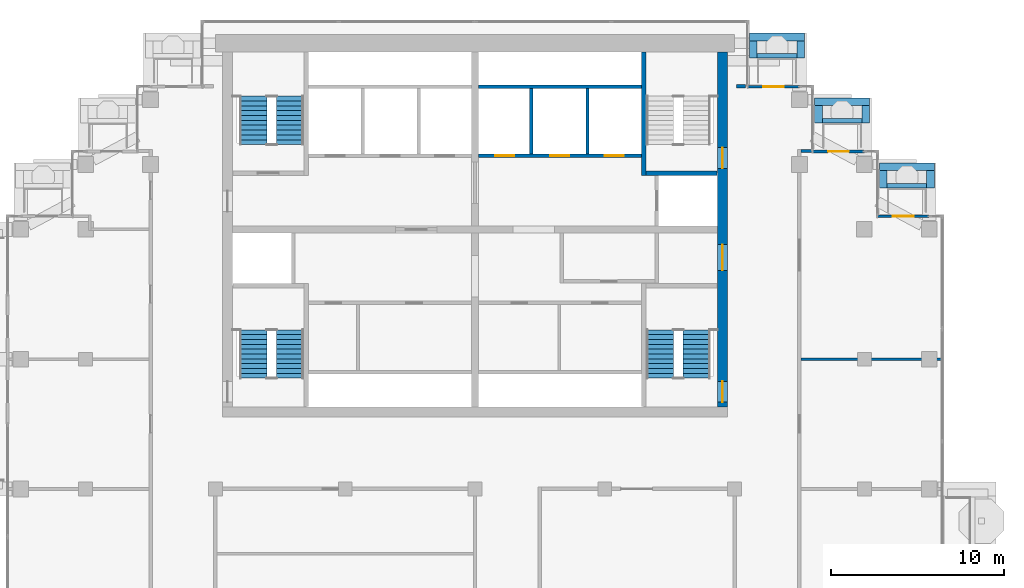
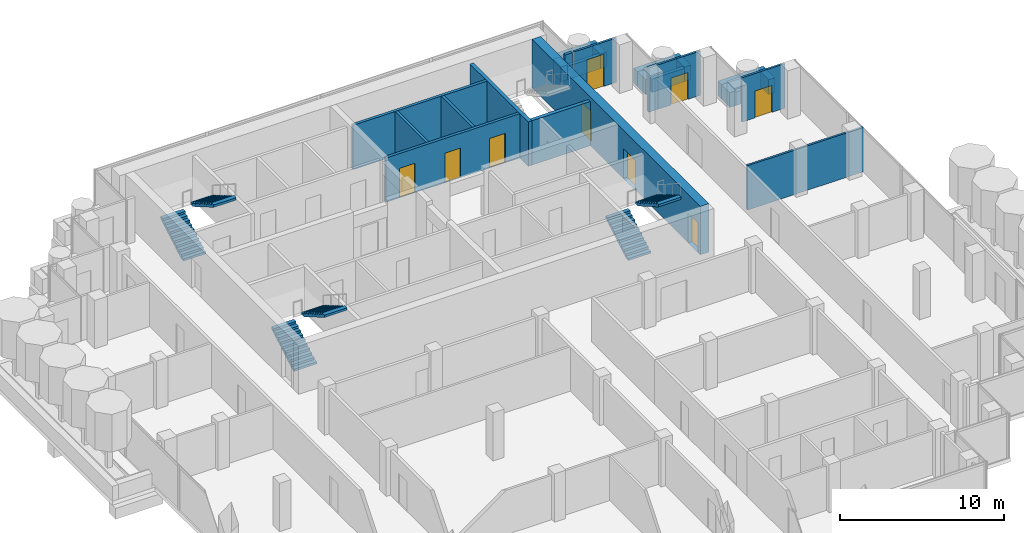
# One storey, part 14 of 18: 25 walls, 9 doors, 6 stair flights, 9 openings, 3 elements without a shape of their own.
"""IFC4 building model written with IfcOpenShell, lengths in metres."""

from ifc_helpers import new_model, si_unit, direction, frame, frame_2d, origin, place, context, subcontext, project, spatial, polyline, rectangle, outline, extrude, material, layer, layer_set, type_object, element, fill, aggregate, save


model = new_model("IFC4")

# Units and contexts
model_context = context("Model", 3, precision=1e-05, world=origin(), true_north=direction((0.0, 1.0)))
body_context = subcontext(model_context, "Body", "Model", "MODEL_VIEW")
ifc_project = project(units=[si_unit("LENGTHUNIT", "METRE"), si_unit("AREAUNIT", "SQUARE_METRE"), si_unit("VOLUMEUNIT", "CUBIC_METRE"), si_unit("PLANEANGLEUNIT", "RADIAN"), si_unit("MASSUNIT", "GRAM", prefix="KILO")], contexts=[model_context])

# Site, building, storey
site_placement = place(None, origin())
site = spatial("IfcSite", under=ifc_project, at=site_placement, CompositionType="ELEMENT")
building_placement = place(site_placement, origin())
building = spatial("IfcBuilding", under=site, at=building_placement, Name="Pilkhan Gate Tower", CompositionType="ELEMENT")
storey_placement = place(building_placement, frame((0.0, 0.0, 228.300048828125)))
storey = spatial("IfcBuildingStorey", under=building, at=storey_placement, Name="L59", CompositionType="ELEMENT", Elevation=228.300048828125)

# Walls
ifc_material_1 = material(Name="Concrete C40/50", Category="concrete")
ifc_layer_1 = layer(ifc_material_1, 0.25)
ifc_layer_set_1 = layer_set([ifc_layer_1], Name="Balcony planter BP250")
wall_type_1 = type_object("IfcWallType", Name="Balcony planter BP250", PredefinedType="USERDEFINED", material=ifc_layer_set_1)
wall_1_placement = place(storey_placement, frame((91.300048828125, 92.52490234375, 0.0), z_axis=(0.0, 0.0, 1.0), x_axis=(1.0, 0.0, 0.0)))
element("IfcWall", 1, at=wall_1_placement, inside=storey, type_object=wall_type_1, Name="Balcony planter L59 N", ObjectType="BALCONY PLANTER", PredefinedType="USERDEFINED", context=body_context, shape_type="SweptSolid", body=[
    extrude(rectangle(XDim=2.300048828125, YDim=0.25, at=frame_2d((1.14990234375, 0.0))), origin(), (0.0, 0.0, 1.0), 1.0),
])
for number, where, z_axis, x_axis, name in (
    (2, (95.070068359375, 88.77490234375, 0.0), (0.0, 0.0, 1.0), (1.0, 0.0, 0.0), "Balcony planter L59 N"),
    (3, (98.820068359375, 85.02490234375, 0.0), (0.0, 0.0, 1.0), (1.0, 0.0, 0.0), "Balcony planter L59 N"),
):
    element("IfcWall", number, at=place(storey_placement, frame(where, z_axis=z_axis, x_axis=x_axis)), inside=storey, type_object=wall_type_1, Name=name, ObjectType="BALCONY PLANTER", PredefinedType="USERDEFINED", context=body_context, shape_type="SweptSolid", body=[
        extrude(rectangle(XDim=2.280029296875, YDim=0.25, at=frame_2d((1.14013671875, 0.0))), origin(), (0.0, 0.0, 1.0), 1.0),
    ])
ifc_material_2 = material(Name="Board-marked Concrete C40/50", Category="concrete")
ifc_layer_2 = layer(ifc_material_2, 0.449951171875)
ifc_layer_set_2 = layer_set([ifc_layer_2], Name="Balcony planter lip BL450")
wall_type_2 = type_object("IfcWallType", Name="Balcony planter lip BL450", PredefinedType="USERDEFINED", material=ifc_layer_set_2)
wall_2_placement = place(storey_placement, frame((90.85009765625, 93.625, 0.0), z_axis=(0.0, 0.0, 1.0), x_axis=(1.0, 0.0, 0.0)))
element("IfcWall", 4, at=wall_2_placement, inside=storey, type_object=wall_type_2, Name="Balcony planter L59 N", ObjectType="BALCONY PLANTER", PredefinedType="USERDEFINED", context=body_context, shape_type="SweptSolid", body=[
    extrude(rectangle(XDim=3.199951171875, YDim=0.449951171875, at=frame_2d((1.60009765625, 0.0))), origin(), (0.0, 0.0, 1.0), 1.099853515625),
])
for number, where, z_axis, x_axis, name in (
    (5, (91.074951171875, 92.39990234375, 0.0), (0.0, 0.0, 1.0), (0.0, 1.0, 0.0), "Balcony planter L59 N"),
    (6, (93.824951171875, 92.39990234375, 0.0), (0.0, 0.0, 1.0), (0.0, 1.0, 0.0), "Balcony planter L59 N"),
):
    element("IfcWall", number, at=place(storey_placement, frame(where, z_axis=z_axis, x_axis=x_axis)), inside=storey, type_object=wall_type_2, Name=name, ObjectType="BALCONY PLANTER", PredefinedType="USERDEFINED", context=body_context, shape_type="SweptSolid", body=[
        extrude(rectangle(XDim=1.0, YDim=0.449951171875, at=frame_2d((0.5, 0.0))), origin(), (0.0, 0.0, 1.0), 1.099853515625),
    ])
wall_3_placement = place(storey_placement, frame((94.6201171875, 89.875, 0.0), z_axis=(0.0, 0.0, 1.0), x_axis=(1.0, 0.0, 0.0)))
element("IfcWall", 7, at=wall_3_placement, inside=storey, type_object=wall_type_2, Name="Balcony planter L59 N", ObjectType="BALCONY PLANTER", PredefinedType="USERDEFINED", context=body_context, shape_type="SweptSolid", body=[
    extrude(rectangle(XDim=3.179931640625, YDim=0.449951171875, at=frame_2d((1.58984375, 0.0))), origin(), (0.0, 0.0, 1.0), 1.099853515625),
])
for number, where, z_axis, x_axis, name in (
    (8, (94.844970703125, 88.64990234375, 0.0), (0.0, 0.0, 1.0), (0.0, 1.0, 0.0), "Balcony planter L59 N"),
    (9, (97.574951171875, 88.64990234375, 0.0), (0.0, 0.0, 1.0), (0.0, 1.0, 0.0), "Balcony planter L59 N"),
):
    element("IfcWall", number, at=place(storey_placement, frame(where, z_axis=z_axis, x_axis=x_axis)), inside=storey, type_object=wall_type_2, Name=name, ObjectType="BALCONY PLANTER", PredefinedType="USERDEFINED", context=body_context, shape_type="SweptSolid", body=[
        extrude(rectangle(XDim=1.0, YDim=0.449951171875, at=frame_2d((0.5, 0.0))), origin(), (0.0, 0.0, 1.0), 1.099853515625),
    ])
wall_4_placement = place(storey_placement, frame((98.3701171875, 86.125, 0.0), z_axis=(0.0, 0.0, 1.0), x_axis=(1.0, 0.0, 0.0)))
element("IfcWall", 10, at=wall_4_placement, inside=storey, type_object=wall_type_2, Name="Balcony planter L59 N", ObjectType="BALCONY PLANTER", PredefinedType="USERDEFINED", context=body_context, shape_type="SweptSolid", body=[
    extrude(rectangle(XDim=3.179931640625, YDim=0.449951171875, at=frame_2d((1.58984375, 0.0))), origin(), (0.0, 0.0, 1.0), 1.099853515625),
])
for number, where, z_axis, x_axis, name in (
    (11, (98.594970703125, 84.89990234375, 0.0), (0.0, 0.0, 1.0), (0.0, 1.0, 0.0), "Balcony planter L59 N"),
    (12, (101.324951171875, 84.89990234375, 0.0), (0.0, 0.0, 1.0), (0.0, 1.0, 0.0), "Balcony planter L59 N"),
):
    element("IfcWall", number, at=place(storey_placement, frame(where, z_axis=z_axis, x_axis=x_axis)), inside=storey, type_object=wall_type_2, Name=name, ObjectType="BALCONY PLANTER", PredefinedType="USERDEFINED", context=body_context, shape_type="SweptSolid", body=[
        extrude(rectangle(XDim=1.0, YDim=0.449951171875, at=frame_2d((0.5, 0.0))), origin(), (0.0, 0.0, 1.0), 1.099853515625),
    ])

# Wall, openings, doors
ifc_material_3 = material(Name="Concrete C50/60", Category="concrete")
ifc_layer_3 = layer(ifc_material_3, 0.60009765625)
ifc_layer_set_3 = layer_set([ifc_layer_3], Name="Core wall CW600 C50/60")
wall_type_3 = type_object("IfcWallType", Name="Core wall CW600 C50/60", PredefinedType="SHEAR", material=ifc_layer_set_3)
wall_5_placement = place(storey_placement, frame((89.300048828125, 72.25, 0.0), z_axis=(0.0, 0.0, 1.0), x_axis=(0.0, 1.0, 0.0)))
wall_5 = element("IfcWall", 13, at=wall_5_placement, inside=storey, type_object=wall_type_3, Name="Core wall E L59", PredefinedType="SHEAR", context=body_context, shape_type="SweptSolid", body=[
    extrude(rectangle(XDim=20.5, YDim=0.60009765625, at=frame_2d((10.25, 0.0))), origin(), (0.0, 0.0, 1.0), 3.599853515625),
])
opening_1_placement = place(wall_5_placement, frame((0.27490234375, 0.0, 0.0)))
opening_1 = element("IfcOpeningElement", 14, at=opening_1_placement, cuts=wall_5, Name="Opening L59-03", PredefinedType="OPENING", context=body_context, shape_type="SweptSolid", body=[
    extrude(rectangle(XDim=1.199951171875, YDim=2.199951171875, at=frame_2d((0.60009765625, 1.10009765625))), frame((0.0, 0.31005859375, 0.0), z_axis=(0.0, -1.0, 0.0), x_axis=(1.0, 0.0, 0.0)), (0.0, 0.0, 1.0), 0.6201171875),
])
opening_2_placement = place(wall_5_placement, frame((13.77490234375, 0.0, 0.0)))
opening_2 = element("IfcOpeningElement", 15, at=opening_2_placement, cuts=wall_5, Name="Opening L59-05", PredefinedType="OPENING", context=body_context, shape_type="SweptSolid", body=[
    extrude(rectangle(XDim=1.199951171875, YDim=2.199951171875, at=frame_2d((0.60009765625, 1.10009765625))), frame((0.0, 0.31005859375, 0.0), z_axis=(0.0, -1.0, 0.0), x_axis=(1.0, 0.0, 0.0)), (0.0, 0.0, 1.0), 0.6201171875),
])
opening_3_placement = place(wall_5_placement, frame((7.875, 0.0, 0.0)))
opening_3 = element("IfcOpeningElement", 16, at=opening_3_placement, cuts=wall_5, Name="Opening L59-06", PredefinedType="OPENING", context=body_context, shape_type="SweptSolid", body=[
    extrude(rectangle(XDim=1.5, YDim=2.199951171875, at=frame_2d((0.75, 1.10009765625))), frame((0.0, 0.31005859375, 0.0), z_axis=(0.0, -1.0, 0.0), x_axis=(1.0, 0.0, 0.0)), (0.0, 0.0, 1.0), 0.6201171875),
])
ifc_material_4 = material(Name="Steel framed glazed door, 60 minute fire resisting", Category="steel")
door_type_1 = type_object("IfcDoorType", Name="Lobby door D09 1500x2200", OperationType="DOUBLE_DOOR_SINGLE_SWING", PredefinedType="DOOR", material=ifc_material_4)
door_1_placement = place(opening_3_placement, origin())
door_1 = element("IfcDoor", 17, at=door_1_placement, inside=storey, type_object=door_type_1, Name="Core door", OperationType="DOUBLE_DOOR_SINGLE_SWING", OverallHeight=2.199951171875, OverallWidth=1.5, PredefinedType="DOOR", context=body_context, shape_type="SweptSolid", body=[
    extrude(rectangle(XDim=1.5, YDim=2.199951171875, at=frame_2d((0.75, 1.10009765625))), frame((0.0, 0.02490234375, 0.0), z_axis=(0.0, -1.0, 0.0), x_axis=(1.0, 0.0, 0.0)), (0.0, 0.0, 1.0), 0.050048828125),
])
fill(opening_3, door_1)
ifc_material_5 = material(Name="Steel door, 120 minute fire resisting, panic bar", Category="steel")
door_type_2 = type_object("IfcDoorType", Name="Stair door D11 1200x2200", OperationType="SINGLE_SWING_LEFT", PredefinedType="DOOR", material=ifc_material_5)
door_2_placement = place(opening_1_placement, origin())
door_2 = element("IfcDoor", 18, at=door_2_placement, inside=storey, type_object=door_type_2, Name="Stair ST1 door", OperationType="SINGLE_SWING_LEFT", OverallHeight=2.199951171875, OverallWidth=1.199951171875, PredefinedType="DOOR", context=body_context, shape_type="SweptSolid", body=[
    extrude(rectangle(XDim=1.199951171875, YDim=2.199951171875, at=frame_2d((0.60009765625, 1.10009765625))), frame((0.0, 0.02490234375, 0.0), z_axis=(0.0, -1.0, 0.0), x_axis=(1.0, 0.0, 0.0)), (0.0, 0.0, 1.0), 0.050048828125),
])
fill(opening_1, door_2)
door_3_placement = place(opening_2_placement, origin())
door_3 = element("IfcDoor", 19, at=door_3_placement, inside=storey, type_object=door_type_2, Name="Stair ST4 door", OperationType="SINGLE_SWING_LEFT", OverallHeight=2.199951171875, OverallWidth=1.199951171875, PredefinedType="DOOR", context=body_context, shape_type="SweptSolid", body=[
    extrude(rectangle(XDim=1.199951171875, YDim=2.199951171875, at=frame_2d((0.60009765625, 1.10009765625))), frame((0.0, 0.02490234375, 0.0), z_axis=(0.0, -1.0, 0.0), x_axis=(1.0, 0.0, 0.0)), (0.0, 0.0, 1.0), 0.050048828125),
])
fill(opening_2, door_3)

# Walls
ifc_material_6 = material(Name="Dense blockwork", Category="masonry")
ifc_layer_4 = layer(ifc_material_6, 0.199951171875)
ifc_layer_set_4 = layer_set([ifc_layer_4], Name="Corridor wall FW200")
wall_type_4 = type_object("IfcWallType", Name="Corridor wall FW200", PredefinedType="PARTITIONING", material=ifc_layer_set_4)
wall_6_placement = place(storey_placement, frame((93.85009765625, 87.030029296875, 0.0), z_axis=(0.0, 0.0, 1.0), x_axis=(1.0, 0.0, 0.0)))
element("IfcWall", 20, at=wall_6_placement, inside=storey, type_object=wall_type_4, Name="Partition L59", PredefinedType="PARTITIONING", context=body_context, shape_type="SweptSolid", body=[
    extrude(rectangle(XDim=0.639892578125, YDim=0.199951171875, at=frame_2d((0.31982421875, 0.0))), origin(), (0.0, 0.0, 1.0), 3.300048828125),
])
wall_7_placement = place(storey_placement, frame((90.1201171875, 90.764892578125, 0.0), z_axis=(0.0, 0.0, 1.0), x_axis=(1.0, 0.0, 0.0)))
element("IfcWall", 21, at=wall_7_placement, inside=storey, type_object=wall_type_4, Name="Partition L59", PredefinedType="PARTITIONING", context=body_context, shape_type="SweptSolid", body=[
    extrude(rectangle(XDim=0.52490234375, YDim=0.199951171875, at=frame_2d((0.262451171875, 0.0))), origin(), (0.0, 0.0, 1.0), 3.300048828125),
])

# Wall, opening, door
ifc_material_7 = material(Name="Pale anodised aluminium, clear laminated glazing", Category="aluminium")
ifc_layer_5 = layer(ifc_material_7, 0.14990234375)
ifc_layer_set_5 = layer_set([ifc_layer_5], Name="Facade infill wall IW150")
wall_type_5 = type_object("IfcWallType", Name="Facade infill wall IW150", PredefinedType="SOLIDWALL", material=ifc_layer_set_5)
wall_8_placement = place(storey_placement, frame((98.25, 83.25, 0.0), z_axis=(0.0, 0.0, 1.0), x_axis=(1.0, 0.0, 0.0)))
wall_8 = element("IfcWall", 22, at=wall_8_placement, inside=storey, type_object=wall_type_5, Name="Infill wall L59 N", PredefinedType="SOLIDWALL", context=body_context, shape_type="SweptSolid", body=[
    extrude(rectangle(XDim=3.0, YDim=0.14990234375, at=frame_2d((1.5, 0.0))), origin(), (0.0, 0.0, 1.0), 3.300048828125),
])
opening_4_placement = place(wall_8_placement, frame((0.89990234375, 0.0, 0.0)))
opening_4 = element("IfcOpeningElement", 23, at=opening_4_placement, cuts=wall_8, Name="Opening D1L", PredefinedType="OPENING", context=body_context, shape_type="SweptSolid", body=[
    extrude(rectangle(XDim=1.199951171875, YDim=2.0, at=frame_2d((0.60009765625, 1.0))), frame((0.0, 0.0849609375, 0.0), z_axis=(0.0, -1.0, 0.0), x_axis=(1.0, 0.0, 0.0)), (0.0, 0.0, 1.0), 0.169921875),
])
ifc_material_8 = material(Name="Pale anodised aluminium, clear glazing", Category="aluminium")
door_type_3 = type_object("IfcDoorType", Name="Balcony door D1L 1200x2000", OperationType="SINGLE_SWING_LEFT", PredefinedType="DOOR", material=ifc_material_8)
door_4_placement = place(opening_4_placement, origin())
door_4 = element("IfcDoor", 24, at=door_4_placement, inside=storey, type_object=door_type_3, Name="Balcony door L59", OperationType="SINGLE_SWING_LEFT", OverallHeight=2.0, OverallWidth=1.199951171875, PredefinedType="DOOR", context=body_context, shape_type="SweptSolid", body=[
    extrude(rectangle(XDim=1.199951171875, YDim=2.0, at=frame_2d((0.60009765625, 1.0))), frame((0.0, 0.02490234375, 0.0), z_axis=(0.0, -1.0, 0.0), x_axis=(1.0, 0.0, 0.0)), (0.0, 0.0, 1.0), 0.050048828125),
])
fill(opening_4, door_4)

wall_9_placement = place(storey_placement, frame((94.5, 87.0, 0.0), z_axis=(0.0, 0.0, 1.0), x_axis=(1.0, 0.0, 0.0)))
wall_9 = element("IfcWall", 25, at=wall_9_placement, inside=storey, type_object=wall_type_5, Name="Infill wall L59 N", PredefinedType="SOLIDWALL", context=body_context, shape_type="SweptSolid", body=[
    extrude(rectangle(XDim=3.0, YDim=0.14990234375, at=frame_2d((1.5, 0.0))), origin(), (0.0, 0.0, 1.0), 3.300048828125),
])
opening_5_placement = place(wall_9_placement, frame((0.89990234375, 0.0, 0.0)))
opening_5 = element("IfcOpeningElement", 26, at=opening_5_placement, cuts=wall_9, Name="Opening D1L", PredefinedType="OPENING", context=body_context, shape_type="SweptSolid", body=[
    extrude(rectangle(XDim=1.199951171875, YDim=2.0, at=frame_2d((0.60009765625, 1.0))), frame((0.0, 0.0849609375, 0.0), z_axis=(0.0, -1.0, 0.0), x_axis=(1.0, 0.0, 0.0)), (0.0, 0.0, 1.0), 0.169921875),
])
door_5_placement = place(opening_5_placement, origin())
door_5 = element("IfcDoor", 27, at=door_5_placement, inside=storey, type_object=door_type_3, Name="Balcony door L59", OperationType="SINGLE_SWING_LEFT", OverallHeight=2.0, OverallWidth=1.199951171875, PredefinedType="DOOR", context=body_context, shape_type="SweptSolid", body=[
    extrude(rectangle(XDim=1.199951171875, YDim=2.0, at=frame_2d((0.60009765625, 1.0))), frame((0.0, 0.02490234375, 0.0), z_axis=(0.0, -1.0, 0.0), x_axis=(1.0, 0.0, 0.0)), (0.0, 0.0, 1.0), 0.050048828125),
])
fill(opening_5, door_5)

wall_10_placement = place(storey_placement, frame((90.75, 90.75, 0.0), z_axis=(0.0, 0.0, 1.0), x_axis=(1.0, 0.0, 0.0)))
wall_10 = element("IfcWall", 28, at=wall_10_placement, inside=storey, type_object=wall_type_5, Name="Infill wall L59 N", PredefinedType="SOLIDWALL", context=body_context, shape_type="SweptSolid", body=[
    extrude(rectangle(XDim=3.0, YDim=0.14990234375, at=frame_2d((1.5, 0.0))), origin(), (0.0, 0.0, 1.0), 3.300048828125),
])
opening_6_placement = place(wall_10_placement, frame((0.89990234375, 0.0, 0.0)))
opening_6 = element("IfcOpeningElement", 29, at=opening_6_placement, cuts=wall_10, Name="Opening D1", PredefinedType="OPENING", context=body_context, shape_type="SweptSolid", body=[
    extrude(rectangle(XDim=1.199951171875, YDim=2.39990234375, at=frame_2d((0.60009765625, 1.199951171875))), frame((0.0, 0.0849609375, 0.0), z_axis=(0.0, -1.0, 0.0), x_axis=(1.0, 0.0, 0.0)), (0.0, 0.0, 1.0), 0.169921875),
])
door_type_4 = type_object("IfcDoorType", Name="Balcony door D1 1200x2400", OperationType="SINGLE_SWING_LEFT", PredefinedType="DOOR", material=ifc_material_8)
door_6_placement = place(opening_6_placement, origin())
door_6 = element("IfcDoor", 30, at=door_6_placement, inside=storey, type_object=door_type_4, Name="Balcony door L59", OperationType="SINGLE_SWING_LEFT", OverallHeight=2.39990234375, OverallWidth=1.199951171875, PredefinedType="DOOR", context=body_context, shape_type="SweptSolid", body=[
    extrude(rectangle(XDim=1.199951171875, YDim=2.39990234375, at=frame_2d((0.60009765625, 1.199951171875))), frame((0.0, 0.02490234375, 0.0), z_axis=(0.0, -1.0, 0.0), x_axis=(1.0, 0.0, 0.0)), (0.0, 0.0, 1.0), 0.050048828125),
])
fill(opening_6, door_6)

# Wall
ifc_material_9 = material(Name="Blockwork partition, plastered both sides", Category="masonry")
ifc_layer_6 = layer(ifc_material_9, 0.14990234375)
ifc_layer_set_6 = layer_set([ifc_layer_6], Name="Partition PW150")
wall_type_6 = type_object("IfcWallType", Name="Partition PW150", PredefinedType="PARTITIONING", material=ifc_layer_set_6)
wall_11_placement = place(storey_placement, frame((93.85009765625, 75.0, 0.0), z_axis=(0.0, 0.0, 1.0), x_axis=(1.0, 0.0, 0.0)))
element("IfcWall", 31, at=wall_11_placement, inside=storey, type_object=wall_type_6, Name="Partition L59", PredefinedType="PARTITIONING", context=body_context, shape_type="SweptSolid", body=[
    extrude(rectangle(XDim=8.164794921875, YDim=0.14990234375, at=frame_2d((4.08251953125, 0.0))), origin(), (0.0, 0.0, 1.0), 3.300048828125),
])

# Wall, openings, doors
ifc_material_10 = material(Name="Reinforced blockwork shaft wall, 120 minute fire resisting", Category="masonry")
ifc_layer_7 = layer(ifc_material_10, 0.199951171875)
ifc_layer_set_7 = layer_set([ifc_layer_7], Name="Shaft wall SW200")
wall_type_7 = type_object("IfcWallType", Name="Shaft wall SW200", PredefinedType="PARTITIONING", material=ifc_layer_set_7)
wall_12_placement = place(storey_placement, frame((75.2099609375, 86.75, 0.0), z_axis=(0.0, 0.0, 1.0), x_axis=(1.0, 0.0, 0.0)))
wall_12 = element("IfcWall", 32, at=wall_12_placement, inside=storey, type_object=wall_type_7, Name="Partition L59", PredefinedType="PARTITIONING", context=body_context, shape_type="SweptSolid", body=[
    extrude(rectangle(XDim=9.4150390625, YDim=0.199951171875, at=frame_2d((4.70751953125, 0.0))), origin(), (0.0, 0.0, 1.0), 3.300048828125),
])
opening_7_placement = place(wall_12_placement, frame((0.949951171875, 0.0, 0.0)))
opening_7 = element("IfcOpeningElement", 33, at=opening_7_placement, cuts=wall_12, Name="Opening LD", PredefinedType="OPENING", context=body_context, shape_type="SweptSolid", body=[
    extrude(rectangle(XDim=1.10009765625, YDim=2.199951171875, at=frame_2d((0.550048828125, 1.10009765625))), frame((0.0, 0.10986328125, 0.0), z_axis=(0.0, -1.0, 0.0), x_axis=(1.0, 0.0, 0.0)), (0.0, 0.0, 1.0), 0.219970703125),
])
opening_8_placement = place(wall_12_placement, frame((4.139892578125, 0.0, 0.0)))
opening_8 = element("IfcOpeningElement", 34, at=opening_8_placement, cuts=wall_12, Name="Opening LD", PredefinedType="OPENING", context=body_context, shape_type="SweptSolid", body=[
    extrude(rectangle(XDim=1.10009765625, YDim=2.199951171875, at=frame_2d((0.550048828125, 1.10009765625))), frame((0.0, 0.10986328125, 0.0), z_axis=(0.0, -1.0, 0.0), x_axis=(1.0, 0.0, 0.0)), (0.0, 0.0, 1.0), 0.219970703125),
])
opening_9_placement = place(wall_12_placement, frame((7.2900390625, 0.0, 0.0)))
opening_9 = element("IfcOpeningElement", 35, at=opening_9_placement, cuts=wall_12, Name="Opening LD", PredefinedType="OPENING", context=body_context, shape_type="SweptSolid", body=[
    extrude(rectangle(XDim=1.10009765625, YDim=2.199951171875, at=frame_2d((0.550048828125, 1.10009765625))), frame((0.0, 0.10986328125, 0.0), z_axis=(0.0, -1.0, 0.0), x_axis=(1.0, 0.0, 0.0)), (0.0, 0.0, 1.0), 0.219970703125),
])
ifc_material_11 = material(Name="Stainless steel centre-opening landing door, 120 minute fire resisting", Category="steel")
door_type_5 = type_object("IfcDoorType", Name="Lift landing door LD 1100x2200", OperationType="DOUBLE_DOOR_SLIDING", PredefinedType="DOOR", material=ifc_material_11)
door_7_placement = place(opening_7_placement, origin())
door_7 = element("IfcDoor", 36, at=door_7_placement, inside=storey, type_object=door_type_5, Name="Landing door HR1", OperationType="DOUBLE_DOOR_SLIDING", OverallHeight=2.199951171875, OverallWidth=1.10009765625, PredefinedType="DOOR", context=body_context, shape_type="SweptSolid", body=[
    extrude(rectangle(XDim=1.10009765625, YDim=2.199951171875, at=frame_2d((0.550048828125, 1.10009765625))), frame((0.0, 0.02490234375, 0.0), z_axis=(0.0, -1.0, 0.0), x_axis=(1.0, 0.0, 0.0)), (0.0, 0.0, 1.0), 0.050048828125),
])
fill(opening_7, door_7)
door_8_placement = place(opening_8_placement, origin())
door_8 = element("IfcDoor", 37, at=door_8_placement, inside=storey, type_object=door_type_5, Name="Landing door HR2", OperationType="DOUBLE_DOOR_SLIDING", OverallHeight=2.199951171875, OverallWidth=1.10009765625, PredefinedType="DOOR", context=body_context, shape_type="SweptSolid", body=[
    extrude(rectangle(XDim=1.10009765625, YDim=2.199951171875, at=frame_2d((0.550048828125, 1.10009765625))), frame((0.0, 0.02490234375, 0.0), z_axis=(0.0, -1.0, 0.0), x_axis=(1.0, 0.0, 0.0)), (0.0, 0.0, 1.0), 0.050048828125),
])
fill(opening_8, door_8)
door_9_placement = place(opening_9_placement, origin())
door_9 = element("IfcDoor", 38, at=door_9_placement, inside=storey, type_object=door_type_5, Name="Landing door HR3", OperationType="DOUBLE_DOOR_SLIDING", OverallHeight=2.199951171875, OverallWidth=1.10009765625, PredefinedType="DOOR", context=body_context, shape_type="SweptSolid", body=[
    extrude(rectangle(XDim=1.10009765625, YDim=2.199951171875, at=frame_2d((0.550048828125, 1.10009765625))), frame((0.0, 0.02490234375, 0.0), z_axis=(0.0, -1.0, 0.0), x_axis=(1.0, 0.0, 0.0)), (0.0, 0.0, 1.0), 0.050048828125),
])
fill(opening_9, door_9)

# Walls
wall_13_placement = place(storey_placement, frame((75.2099609375, 90.75, 0.0), z_axis=(0.0, 0.0, 1.0), x_axis=(1.0, 0.0, 0.0)))
element("IfcWall", 39, at=wall_13_placement, inside=storey, type_object=wall_type_7, Name="Partition L59", PredefinedType="PARTITIONING", context=body_context, shape_type="SweptSolid", body=[
    extrude(rectangle(XDim=9.4150390625, YDim=0.199951171875, at=frame_2d((4.70751953125, 0.0))), origin(), (0.0, 0.0, 1.0), 3.300048828125),
])
for number, where, z_axis, x_axis, name in (
    (40, (78.25, 86.85009765625, 0.0), (0.0, 0.0, 1.0), (0.0, 1.0, 0.0), "Partition L59"),
    (41, (81.5, 86.85009765625, 0.0), (0.0, 0.0, 1.0), (0.0, 1.0, 0.0), "Partition L59"),
):
    element("IfcWall", number, at=place(storey_placement, frame(where, z_axis=z_axis, x_axis=x_axis)), inside=storey, type_object=wall_type_7, Name=name, PredefinedType="PARTITIONING", context=body_context, shape_type="SweptSolid", body=[
        extrude(rectangle(XDim=3.7998046875, YDim=0.199951171875, at=frame_2d((1.89990234375, 0.0))), origin(), (0.0, 0.0, 1.0), 3.300048828125),
    ])
ifc_material_12 = material(Name="Reinforced blockwork, 120 minute fire resisting", Category="masonry")
ifc_layer_8 = layer(ifc_material_12, 0.25)
ifc_layer_set_8 = layer_set([ifc_layer_8], Name="Stair enclosure wall SE250")
wall_type_8 = type_object("IfcWallType", Name="Stair enclosure wall SE250", PredefinedType="PARTITIONING", material=ifc_layer_set_8)
wall_14_placement = place(storey_placement, frame((84.875, 85.75, 0.0), z_axis=(0.0, 0.0, 1.0), x_axis=(1.0, 0.0, 0.0)))
element("IfcWall", 42, at=wall_14_placement, inside=storey, type_object=wall_type_8, Name="Partition L59", PredefinedType="PARTITIONING", context=body_context, shape_type="SweptSolid", body=[
    extrude(rectangle(XDim=4.114990234375, YDim=0.25, at=frame_2d((2.0576171875, 0.0))), origin(), (0.0, 0.0, 1.0), 3.300048828125),
])
wall_15_placement = place(storey_placement, frame((84.75, 85.625, 0.0), z_axis=(0.0, 0.0, 1.0), x_axis=(0.0, 1.0, 0.0)))
element("IfcWall", 43, at=wall_15_placement, inside=storey, type_object=wall_type_8, Name="Partition L59", PredefinedType="PARTITIONING", context=body_context, shape_type="SweptSolid", body=[
    extrude(rectangle(XDim=7.114990234375, YDim=0.25, at=frame_2d((3.5576171875, 0.0))), origin(), (0.0, 0.0, 1.0), 3.300048828125),
])

# Stair, stair flights
ifc_material_13 = material(Name="Concrete C40/50 precast", Category="concrete")
stair_type_1 = type_object("IfcStairType", Name="Stair ST1 164x280", PredefinedType="HALF_TURN_STAIR", material=ifc_material_13)
stair_1_placement = place(storey_placement, origin())
stair_1 = element("IfcStair", 44, at=stair_1_placement, inside=storey, type_object=stair_type_1, Name="Stair ST1 L59", PredefinedType="HALF_TURN_STAIR")
stair_flight_type_1 = type_object("IfcStairFlightType", Name="Stair flight ST1 164x280x11", PredefinedType="STRAIGHT", material=ifc_material_13)
stair_flight_1_placement = place(storey_placement, frame((85.68994140625, 73.89990234375, 0.0), z_axis=(0.0, 0.0, 1.0), x_axis=(0.0, 1.0, 0.0)))
stair_flight_1 = element("IfcStairFlight", 45, at=stair_flight_1_placement, type_object=stair_flight_type_1, Name="ST1 flight 1", NumberOfRisers=11, NumberOfTreads=10, PredefinedType="STRAIGHT", RiserHeight=0.163636364, TreadLength=0.28, context=body_context, shape_type="SweptSolid", body=[
    extrude(outline(polyline([(0.0, 0.0), (0.0, 0.16357421875), (0.280029296875, 0.16357421875), (0.280029296875, 0.327392578125), (0.56005859375, 0.327392578125), (0.56005859375, 0.490966796875), (0.840087890625, 0.490966796875), (0.840087890625, 0.654541015625), (1.1201171875, 0.654541015625), (1.1201171875, 0.818115234375), (1.39990234375, 0.818115234375), (1.39990234375, 0.98193359375), (1.679931640625, 0.98193359375), (1.679931640625, 1.1455078125), (1.9599609375, 1.1455078125), (1.9599609375, 1.30908203125), (2.239990234375, 1.30908203125), (2.239990234375, 1.47265625), (2.52001953125, 1.47265625), (2.52001953125, 1.636474609375), (2.800048828125, 1.636474609375), (2.800048828125, 1.800048828125), (2.800048828125, 1.462646484375), (0.297119140625, 0.0), (0.0, 0.0)])), frame((0.0, 0.7900390625, 0.0), z_axis=(0.0, -1.0, 0.0), x_axis=(1.0, 0.0, 0.0)), (0.0, 0.0, 1.0), 1.580078125),
])
stair_flight_2_placement = place(storey_placement, frame((87.81005859375, 76.699951171875, 1.800048828125), z_axis=(0.0, 0.0, 1.0), x_axis=(0.0, -1.0, 0.0)))
stair_flight_2 = element("IfcStairFlight", 46, at=stair_flight_2_placement, type_object=stair_flight_type_1, Name="ST1 flight 2", NumberOfRisers=11, NumberOfTreads=10, PredefinedType="STRAIGHT", RiserHeight=0.163636364, TreadLength=0.28, context=body_context, shape_type="SweptSolid", body=[
    extrude(outline(polyline([(0.0, 0.0), (0.0, 0.16357421875), (0.280029296875, 0.16357421875), (0.280029296875, 0.327392578125), (0.56005859375, 0.327392578125), (0.56005859375, 0.490966796875), (0.840087890625, 0.490966796875), (0.840087890625, 0.654541015625), (1.1201171875, 0.654541015625), (1.1201171875, 0.818115234375), (1.39990234375, 0.818115234375), (1.39990234375, 0.98193359375), (1.679931640625, 0.98193359375), (1.679931640625, 1.1455078125), (1.9599609375, 1.1455078125), (1.9599609375, 1.30908203125), (2.239990234375, 1.30908203125), (2.239990234375, 1.47265625), (2.52001953125, 1.47265625), (2.52001953125, 1.636474609375), (2.800048828125, 1.636474609375), (2.800048828125, 1.800048828125), (2.800048828125, 1.462646484375), (0.297119140625, 0.0), (0.0, 0.0)])), frame((0.0, 0.7900390625, 0.0), z_axis=(0.0, -1.0, 0.0), x_axis=(1.0, 0.0, 0.0)), (0.0, 0.0, 1.0), 1.580078125),
])
aggregate(stair_1, [stair_flight_1, stair_flight_2])

stair_type_2 = type_object("IfcStairType", Name="Stair ST2 164x280", PredefinedType="HALF_TURN_STAIR", material=ifc_material_13)
stair_2_placement = place(storey_placement, origin())
stair_2 = element("IfcStair", 47, at=stair_2_placement, inside=storey, type_object=stair_type_2, Name="Stair ST2 L59", PredefinedType="HALF_TURN_STAIR")
stair_flight_type_2 = type_object("IfcStairFlightType", Name="Stair flight ST2 164x280x11", PredefinedType="STRAIGHT", material=ifc_material_13)
stair_flight_3_placement = place(storey_placement, frame((62.18994140625, 73.89990234375, 0.0), z_axis=(0.0, 0.0, 1.0), x_axis=(0.0, 1.0, 0.0)))
stair_flight_3 = element("IfcStairFlight", 48, at=stair_flight_3_placement, type_object=stair_flight_type_2, Name="ST2 flight 1", NumberOfRisers=11, NumberOfTreads=10, PredefinedType="STRAIGHT", RiserHeight=0.163636364, TreadLength=0.28, context=body_context, shape_type="SweptSolid", body=[
    extrude(outline(polyline([(0.0, 0.0), (0.0, 0.16357421875), (0.280029296875, 0.16357421875), (0.280029296875, 0.327392578125), (0.56005859375, 0.327392578125), (0.56005859375, 0.490966796875), (0.840087890625, 0.490966796875), (0.840087890625, 0.654541015625), (1.1201171875, 0.654541015625), (1.1201171875, 0.818115234375), (1.39990234375, 0.818115234375), (1.39990234375, 0.98193359375), (1.679931640625, 0.98193359375), (1.679931640625, 1.1455078125), (1.9599609375, 1.1455078125), (1.9599609375, 1.30908203125), (2.239990234375, 1.30908203125), (2.239990234375, 1.47265625), (2.52001953125, 1.47265625), (2.52001953125, 1.636474609375), (2.800048828125, 1.636474609375), (2.800048828125, 1.800048828125), (2.800048828125, 1.462646484375), (0.297119140625, 0.0), (0.0, 0.0)])), frame((0.0, 0.7900390625, 0.0), z_axis=(0.0, -1.0, 0.0), x_axis=(1.0, 0.0, 0.0)), (0.0, 0.0, 1.0), 1.580078125),
])
stair_flight_4_placement = place(storey_placement, frame((64.31005859375, 76.699951171875, 1.800048828125), z_axis=(0.0, 0.0, 1.0), x_axis=(0.0, -1.0, 0.0)))
stair_flight_4 = element("IfcStairFlight", 49, at=stair_flight_4_placement, type_object=stair_flight_type_2, Name="ST2 flight 2", NumberOfRisers=11, NumberOfTreads=10, PredefinedType="STRAIGHT", RiserHeight=0.163636364, TreadLength=0.28, context=body_context, shape_type="SweptSolid", body=[
    extrude(outline(polyline([(0.0, 0.0), (0.0, 0.16357421875), (0.280029296875, 0.16357421875), (0.280029296875, 0.327392578125), (0.56005859375, 0.327392578125), (0.56005859375, 0.490966796875), (0.840087890625, 0.490966796875), (0.840087890625, 0.654541015625), (1.1201171875, 0.654541015625), (1.1201171875, 0.818115234375), (1.39990234375, 0.818115234375), (1.39990234375, 0.98193359375), (1.679931640625, 0.98193359375), (1.679931640625, 1.1455078125), (1.9599609375, 1.1455078125), (1.9599609375, 1.30908203125), (2.239990234375, 1.30908203125), (2.239990234375, 1.47265625), (2.52001953125, 1.47265625), (2.52001953125, 1.636474609375), (2.800048828125, 1.636474609375), (2.800048828125, 1.800048828125), (2.800048828125, 1.462646484375), (0.297119140625, 0.0), (0.0, 0.0)])), frame((0.0, 0.7900390625, 0.0), z_axis=(0.0, -1.0, 0.0), x_axis=(1.0, 0.0, 0.0)), (0.0, 0.0, 1.0), 1.580078125),
])
aggregate(stair_2, [stair_flight_3, stair_flight_4])

stair_type_3 = type_object("IfcStairType", Name="Stair ST3 164x280", PredefinedType="HALF_TURN_STAIR", material=ifc_material_13)
stair_3_placement = place(storey_placement, origin())
stair_3 = element("IfcStair", 50, at=stair_3_placement, inside=storey, type_object=stair_type_3, Name="Stair ST3 L59", PredefinedType="HALF_TURN_STAIR")
stair_flight_type_3 = type_object("IfcStairFlightType", Name="Stair flight ST3 164x280x11", PredefinedType="STRAIGHT", material=ifc_material_13)
stair_flight_5_placement = place(storey_placement, frame((62.18994140625, 87.39990234375, 0.0), z_axis=(0.0, 0.0, 1.0), x_axis=(0.0, 1.0, 0.0)))
stair_flight_5 = element("IfcStairFlight", 51, at=stair_flight_5_placement, type_object=stair_flight_type_3, Name="ST3 flight 1", NumberOfRisers=11, NumberOfTreads=10, PredefinedType="STRAIGHT", RiserHeight=0.163636364, TreadLength=0.28, context=body_context, shape_type="SweptSolid", body=[
    extrude(outline(polyline([(0.0, 0.0), (0.0, 0.16357421875), (0.280029296875, 0.16357421875), (0.280029296875, 0.327392578125), (0.56005859375, 0.327392578125), (0.56005859375, 0.490966796875), (0.840087890625, 0.490966796875), (0.840087890625, 0.654541015625), (1.1201171875, 0.654541015625), (1.1201171875, 0.818115234375), (1.39990234375, 0.818115234375), (1.39990234375, 0.98193359375), (1.679931640625, 0.98193359375), (1.679931640625, 1.1455078125), (1.9599609375, 1.1455078125), (1.9599609375, 1.30908203125), (2.239990234375, 1.30908203125), (2.239990234375, 1.47265625), (2.52001953125, 1.47265625), (2.52001953125, 1.636474609375), (2.800048828125, 1.636474609375), (2.800048828125, 1.800048828125), (2.800048828125, 1.462646484375), (0.297119140625, 0.0), (0.0, 0.0)])), frame((0.0, 0.7900390625, 0.0), z_axis=(0.0, -1.0, 0.0), x_axis=(1.0, 0.0, 0.0)), (0.0, 0.0, 1.0), 1.580078125),
])
stair_flight_6_placement = place(storey_placement, frame((64.31005859375, 90.199951171875, 1.800048828125), z_axis=(0.0, 0.0, 1.0), x_axis=(0.0, -1.0, 0.0)))
stair_flight_6 = element("IfcStairFlight", 52, at=stair_flight_6_placement, type_object=stair_flight_type_3, Name="ST3 flight 2", NumberOfRisers=11, NumberOfTreads=10, PredefinedType="STRAIGHT", RiserHeight=0.163636364, TreadLength=0.28, context=body_context, shape_type="SweptSolid", body=[
    extrude(outline(polyline([(0.0, 0.0), (0.0, 0.16357421875), (0.280029296875, 0.16357421875), (0.280029296875, 0.327392578125), (0.56005859375, 0.327392578125), (0.56005859375, 0.490966796875), (0.840087890625, 0.490966796875), (0.840087890625, 0.654541015625), (1.1201171875, 0.654541015625), (1.1201171875, 0.818115234375), (1.39990234375, 0.818115234375), (1.39990234375, 0.98193359375), (1.679931640625, 0.98193359375), (1.679931640625, 1.1455078125), (1.9599609375, 1.1455078125), (1.9599609375, 1.30908203125), (2.239990234375, 1.30908203125), (2.239990234375, 1.47265625), (2.52001953125, 1.47265625), (2.52001953125, 1.636474609375), (2.800048828125, 1.636474609375), (2.800048828125, 1.800048828125), (2.800048828125, 1.462646484375), (0.297119140625, 0.0), (0.0, 0.0)])), frame((0.0, 0.7900390625, 0.0), z_axis=(0.0, -1.0, 0.0), x_axis=(1.0, 0.0, 0.0)), (0.0, 0.0, 1.0), 1.580078125),
])
aggregate(stair_3, [stair_flight_5, stair_flight_6])

save(model, "model.ifc")
